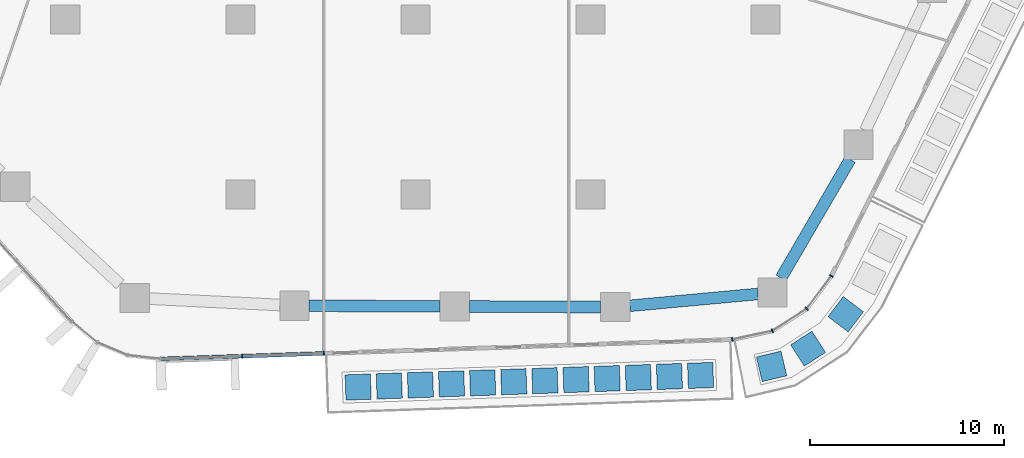
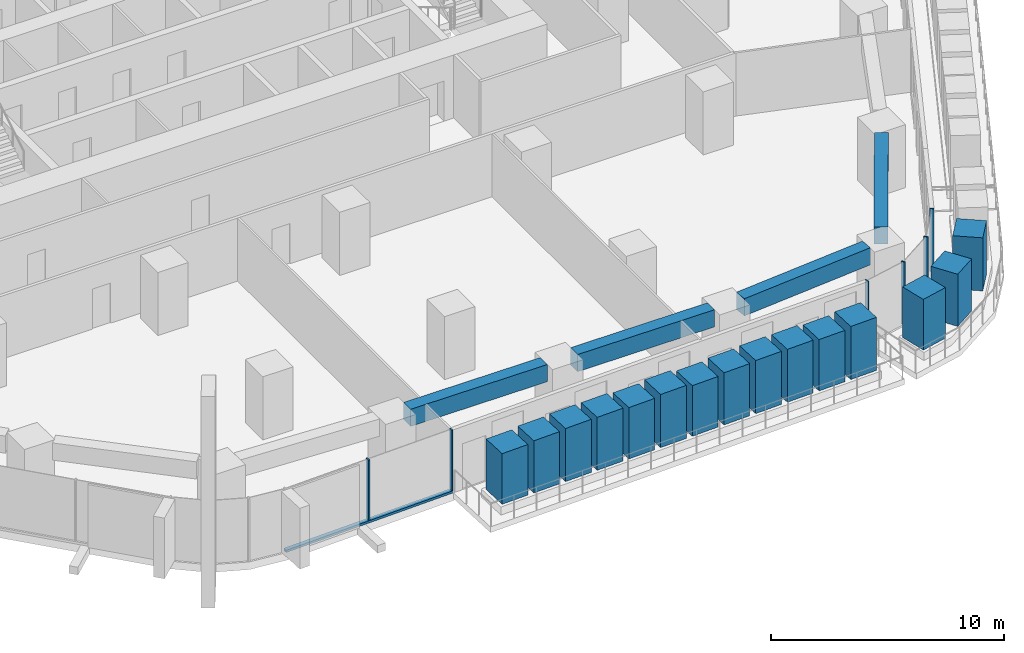
# One storey, part 4 of 26: 22 members, 4 beams, 2 elements without a shape of their own.
"""IFC4 building model written with IfcOpenShell, lengths in metres."""

from ifc_helpers import new_model, si_unit, direction, frame, origin, origin_2d, place, context, subcontext, project, spatial, rectangle, extrude, material, layer, layer_set, material_profile, profile_set, type_object, element, aggregate, save


model = new_model("IFC4")

# Units and contexts
model_context = context("Model", 3, precision=1e-05, world=origin(), true_north=direction((0.0, 1.0)))
body_context = subcontext(model_context, "Body", "Model", "MODEL_VIEW")
ifc_project = project(units=[si_unit("LENGTHUNIT", "METRE"), si_unit("AREAUNIT", "SQUARE_METRE"), si_unit("VOLUMEUNIT", "CUBIC_METRE"), si_unit("PLANEANGLEUNIT", "RADIAN"), si_unit("MASSUNIT", "GRAM", prefix="KILO")], contexts=[model_context])

# Site, building, storey
site_placement = place(None, origin())
site = spatial("IfcSite", under=ifc_project, at=site_placement, CompositionType="ELEMENT")
building_placement = place(site_placement, origin())
building = spatial("IfcBuilding", under=site, at=building_placement, Name="Dongbaek Canopy Tower", CompositionType="ELEMENT")
storey_placement = place(building_placement, frame((0.0, 0.0, 66.199951171875)))
storey = spatial("IfcBuildingStorey", under=building, at=storey_placement, Name="L12", CompositionType="ELEMENT", Elevation=66.199951171875)

# Curtain wall, members
ifc_material_1 = material(Name="Aluminium 6063-T6 pale anodised", Category="aluminium")
ifc_layer = layer(ifc_material_1, 0.199951171875)
ifc_layer_set = layer_set([ifc_layer], Name="CW-1 unitised tower curtain wall")
curtain_wall_type = type_object("IfcCurtainWallType", Name="CW-1 unitised tower curtain wall", PredefinedType="NOTDEFINED", material=ifc_layer_set)
curtain_wall_1_placement = place(storey_placement, origin())
curtain_wall_1 = element("IfcCurtainWall", 1, at=curtain_wall_1_placement, inside=storey, type_object=curtain_wall_type, Name="CW-1 curtain wall F4.1", PredefinedType="NOTDEFINED")
ifc_material_2 = material(Name="Aluminium 6063-T6 pale anodised", Category="aluminium")
ifc_material_profile_1 = material_profile(ifc_material_2, rectangle(XDim=0.199951171875, YDim=0.06005859375, at=origin_2d()), Name="CW-1 mullion 60 x 200")
ifc_profile_set_1 = profile_set([ifc_material_profile_1], Name="Aluminium 6063-T6 pale anodised")
member_type_1 = type_object("IfcMemberType", Name="CW-1 mullion 60 x 200", PredefinedType="MULLION", material=ifc_profile_set_1)
member_1_placement = place(storey_placement, frame((-8.904052734375, -35.310302734375, 0.1201171875), z_axis=(0.0, 0.0, 1.0), x_axis=(0.033932734012, -0.999424118962, 0.0)))
member_1 = element("IfcMember", 2, at=member_1_placement, type_object=member_type_1, Name="CW-1 mullion F4.1.2", PredefinedType="MULLION", context=body_context, shape_type="SweptSolid", body=[
    extrude(rectangle(XDim=0.199951171875, YDim=0.06005859375, at=origin_2d()), origin(), (0.0, 0.0, 1.0), 3.179931640625),
])
member_2_placement = place(storey_placement, frame((-4.702392578125, -35.167724609375, 0.1201171875), z_axis=(0.0, 0.0, 1.0), x_axis=(0.033932734012, -0.999424118962, 0.0)))
member_2 = element("IfcMember", 3, at=member_2_placement, type_object=member_type_1, Name="CW-1 mullion F4.1.3", PredefinedType="MULLION", context=body_context, shape_type="SweptSolid", body=[
    extrude(rectangle(XDim=0.199951171875, YDim=0.06005859375, at=origin_2d()), origin(), (0.0, 0.0, 1.0), 3.179931640625),
])

curtain_wall_2_placement = place(storey_placement, origin())
curtain_wall_2 = element("IfcCurtainWall", 4, at=curtain_wall_2_placement, inside=storey, type_object=curtain_wall_type, Name="CW-1 curtain wall K5.1", PredefinedType="NOTDEFINED")
member_3_placement = place(storey_placement, frame((16.297119140625, -34.454833984375, 0.0), z_axis=(0.0, 0.0, 1.0), x_axis=(0.211349311905, -0.977410593537, 0.0)))
member_3 = element("IfcMember", 5, at=member_3_placement, type_object=member_type_1, Name="CW-1 mullion K5.1.1", PredefinedType="MULLION", context=body_context, shape_type="SweptSolid", body=[
    extrude(rectangle(XDim=0.199951171875, YDim=0.06005859375, at=origin_2d()), origin(), (0.0, 0.0, 1.0), 3.300048828125),
])
member_4_placement = place(storey_placement, frame((18.359130859375, -34.0087890625, 0.0), z_axis=(0.0, 0.0, 1.0), x_axis=(0.382010904246, -0.924157816088, 0.0)))
member_4 = element("IfcMember", 6, at=member_4_placement, type_object=member_type_1, Name="CW-1 mullion K5.1.2", PredefinedType="MULLION", context=body_context, shape_type="SweptSolid", body=[
    extrude(rectangle(XDim=0.199951171875, YDim=0.06005859375, at=origin_2d()), origin(), (0.0, 0.0, 1.0), 3.300048828125),
])
member_5_placement = place(storey_placement, frame((20.12646484375, -32.87353515625, 0.0), z_axis=(0.0, 0.0, 1.0), x_axis=(0.681641141711, -0.731686650095, 0.0)))
member_5 = element("IfcMember", 7, at=member_5_placement, type_object=member_type_1, Name="CW-1 mullion K5.1.3", PredefinedType="MULLION", context=body_context, shape_type="SweptSolid", body=[
    extrude(rectangle(XDim=0.199951171875, YDim=0.06005859375, at=origin_2d()), origin(), (0.0, 0.0, 1.0), 3.300048828125),
])
member_6_placement = place(storey_placement, frame((21.389404296875, -31.18359375, 0.0), z_axis=(0.0, 0.0, 1.0), x_axis=(0.801033233665, -0.59861987819, 0.0)))
member_6 = element("IfcMember", 8, at=member_6_placement, type_object=member_type_1, Name="CW-1 mullion K5.1.4", PredefinedType="MULLION", context=body_context, shape_type="SweptSolid", body=[
    extrude(rectangle(XDim=0.199951171875, YDim=0.06005859375, at=origin_2d()), origin(), (0.0, 0.0, 1.0), 3.300048828125),
])
aggregate(curtain_wall_2, [member_3, member_4, member_5, member_6])

# Member
ifc_material_3 = material(Name="Aluminium 6063-T6 pale anodised", Category="aluminium")
ifc_material_profile_2 = material_profile(ifc_material_3, rectangle(XDim=0.199951171875, YDim=0.1201171875, at=origin_2d()), Name="CW-1 transom 120 x 200")
ifc_profile_set_2 = profile_set([ifc_material_profile_2], Name="Aluminium 6063-T6 pale anodised")
member_type_2 = type_object("IfcMemberType", Name="CW-1 transom 120 x 200", PredefinedType="USERDEFINED", material=ifc_profile_set_2)
member_7_placement = place(storey_placement, frame((-13.0986328125, -35.452880859375, 0.06005859375), z_axis=(0.999423777013, 0.033942803976, 0.0), x_axis=(-0.033942803976, 0.999423777013, 0.0)))
member_7 = element("IfcMember", 9, at=member_7_placement, type_object=member_type_2, Name="CW-1 transom F4.1.1", ObjectType="TRANSOM", PredefinedType="USERDEFINED", context=body_context, shape_type="SweptSolid", body=[
    extrude(rectangle(XDim=0.199951171875, YDim=0.1201171875, at=origin_2d()), origin(), (0.0, 0.0, 1.0), 8.401123046875),
])

aggregate(curtain_wall_1, [member_1, member_2, member_7])

# Beams
ifc_material_4 = material(Name="Concrete C80", Category="concrete")
ifc_material_profile_3 = material_profile(ifc_material_4, rectangle(XDim=0.60009765625, YDim=0.89990234375, at=origin_2d()), Name="RC EDGE BEAM 600x900 C80")
ifc_profile_set_3 = profile_set([ifc_material_profile_3], Name="Concrete C80")
beam_type = type_object("IfcBeamType", Name="RC EDGE BEAM 600x900 C80", PredefinedType="BEAM", material=ifc_profile_set_3)
beam_1_placement = place(storey_placement, frame((17.617919921875, -32.1123046875, 2.85009765625), z_axis=(-0.995766471257, -0.091919174929, 0.0), x_axis=(0.091919174929, -0.995766471257, 0.0)))
element("IfcBeam", 10, at=beam_1_placement, inside=storey, type_object=beam_type, Name="EDGEBEAM:L12:00", PredefinedType="BEAM", context=body_context, shape_type="SweptSolid", body=[
    extrude(rectangle(XDim=0.60009765625, YDim=0.89990234375, at=origin_2d()), origin(), (0.0, 0.0, 1.0), 6.618896484375),
])
beam_2_placement = place(storey_placement, frame((9.527099609375, -32.78662109375, 2.85009765625), z_axis=(-0.999989942747, 0.004484908597, 0.0), x_axis=(-0.004484908597, -0.999989942747, 0.0)))
element("IfcBeam", 11, at=beam_2_placement, inside=storey, type_object=beam_type, Name="EDGEBEAM:L12:01", PredefinedType="BEAM", context=body_context, shape_type="SweptSolid", body=[
    extrude(rectangle(XDim=0.60009765625, YDim=0.89990234375, at=origin_2d()), origin(), (0.0, 0.0, 1.0), 6.75),
])
beam_3_placement = place(storey_placement, frame((1.277099609375, -32.749755859375, 2.85009765625), z_axis=(-0.999990420723, 0.004377038088, 0.0), x_axis=(-0.004377038088, -0.999990420723, 0.0)))
element("IfcBeam", 12, at=beam_3_placement, inside=storey, type_object=beam_type, Name="EDGEBEAM:L12:02", PredefinedType="BEAM", context=body_context, shape_type="SweptSolid", body=[
    extrude(rectangle(XDim=0.60009765625, YDim=0.89990234375, at=origin_2d()), origin(), (0.0, 0.0, 1.0), 6.7490234375),
])
beam_4_placement = place(storey_placement, frame((22.35546875, -25.193115234375, 2.85009765625), z_axis=(-0.503081510817, -0.864238967806, 0.0), x_axis=(0.864238967806, -0.503081510817, 0.0)))
element("IfcBeam", 13, at=beam_4_placement, inside=storey, type_object=beam_type, Name="EDGEBEAM:L12:25", PredefinedType="BEAM", context=body_context, shape_type="SweptSolid", body=[
    extrude(rectangle(XDim=0.60009765625, YDim=0.89990234375, at=origin_2d()), origin(), (0.0, 0.0, 1.0), 7.05810546875),
])

# Members
ifc_material_5 = material(Name="Concrete C40/50 planter mass with planting", Category="concrete")
ifc_material_profile_4 = material_profile(ifc_material_5, rectangle(XDim=1.300048828125, YDim=1.300048828125, at=origin_2d()), Name="Terrace PLANTER shrub mass 1300 x 1300")
ifc_profile_set_4 = profile_set([ifc_material_profile_4], Name="Concrete C40/50 planter mass with planting")
member_type_3 = type_object("IfcMemberType", Name="Terrace PLANTER shrub mass 1300 x 1300", PredefinedType="USERDEFINED", material=ifc_profile_set_4)
member_8_placement = place(storey_placement, frame((-2.941650390625, -36.89892578125, 0.420166015625), z_axis=(0.0, 0.0, 1.0), x_axis=(0.033932734012, -0.999424118962, 0.0)))
element("IfcMember", 14, at=member_8_placement, inside=storey, type_object=member_type_3, Name="Planter shrubs L12 4.1", ObjectType="PLANTER", PredefinedType="USERDEFINED", context=body_context, shape_type="SweptSolid", body=[
    extrude(rectangle(XDim=1.300048828125, YDim=1.300048828125, at=origin_2d()), origin(), (0.0, 0.0, 1.0), 2.64990234375),
])
member_9_placement = place(storey_placement, frame((-1.341064453125, -36.8447265625, 0.420166015625), z_axis=(0.0, 0.0, 1.0), x_axis=(0.033932734012, -0.999424118962, 0.0)))
element("IfcMember", 15, at=member_9_placement, inside=storey, type_object=member_type_3, Name="Planter shrubs L12 4.2", ObjectType="PLANTER", PredefinedType="USERDEFINED", context=body_context, shape_type="SweptSolid", body=[
    extrude(rectangle(XDim=1.300048828125, YDim=1.300048828125, at=origin_2d()), origin(), (0.0, 0.0, 1.0), 2.72998046875),
])
member_10_placement = place(storey_placement, frame((0.259765625, -36.790283203125, 0.420166015625), z_axis=(0.0, 0.0, 1.0), x_axis=(0.033932734012, -0.999424118962, 0.0)))
element("IfcMember", 16, at=member_10_placement, inside=storey, type_object=member_type_3, Name="Planter shrubs L12 4.3", ObjectType="PLANTER", PredefinedType="USERDEFINED", context=body_context, shape_type="SweptSolid", body=[
    extrude(rectangle(XDim=1.300048828125, YDim=1.300048828125, at=origin_2d()), origin(), (0.0, 0.0, 1.0), 2.77978515625),
])
member_11_placement = place(storey_placement, frame((1.860595703125, -36.73583984375, 0.420166015625), z_axis=(0.0, 0.0, 1.0), x_axis=(0.033932734012, -0.999424118962, 0.0)))
element("IfcMember", 17, at=member_11_placement, inside=storey, type_object=member_type_3, Name="Planter shrubs L12 4.4", ObjectType="PLANTER", PredefinedType="USERDEFINED", context=body_context, shape_type="SweptSolid", body=[
    extrude(rectangle(XDim=1.300048828125, YDim=1.300048828125, at=origin_2d()), origin(), (0.0, 0.0, 1.0), 2.769775390625),
])
member_12_placement = place(storey_placement, frame((3.46142578125, -36.681640625, 0.420166015625), z_axis=(0.0, 0.0, 1.0), x_axis=(0.033932734012, -0.999424118962, 0.0)))
element("IfcMember", 18, at=member_12_placement, inside=storey, type_object=member_type_3, Name="Planter shrubs L12 4.5", ObjectType="PLANTER", PredefinedType="USERDEFINED", context=body_context, shape_type="SweptSolid", body=[
    extrude(rectangle(XDim=1.300048828125, YDim=1.300048828125, at=origin_2d()), origin(), (0.0, 0.0, 1.0), 2.68994140625),
])
member_13_placement = place(storey_placement, frame((5.062255859375, -36.627197265625, 0.420166015625), z_axis=(0.0, 0.0, 1.0), x_axis=(0.033932734012, -0.999424118962, 0.0)))
element("IfcMember", 19, at=member_13_placement, inside=storey, type_object=member_type_3, Name="Planter shrubs L12 4.6", ObjectType="PLANTER", PredefinedType="USERDEFINED", context=body_context, shape_type="SweptSolid", body=[
    extrude(rectangle(XDim=1.300048828125, YDim=1.300048828125, at=origin_2d()), origin(), (0.0, 0.0, 1.0), 2.77978515625),
])
member_14_placement = place(storey_placement, frame((6.6630859375, -36.572998046875, 0.420166015625), z_axis=(0.0, 0.0, 1.0), x_axis=(0.033932734012, -0.999424118962, 0.0)))
element("IfcMember", 20, at=member_14_placement, inside=storey, type_object=member_type_3, Name="Planter shrubs L12 4.7", ObjectType="PLANTER", PredefinedType="USERDEFINED", context=body_context, shape_type="SweptSolid", body=[
    extrude(rectangle(XDim=1.300048828125, YDim=1.300048828125, at=origin_2d()), origin(), (0.0, 0.0, 1.0), 2.64990234375),
])
member_15_placement = place(storey_placement, frame((8.263916015625, -36.5185546875, 0.420166015625), z_axis=(0.0, 0.0, 1.0), x_axis=(0.033932734012, -0.999424118962, 0.0)))
element("IfcMember", 21, at=member_15_placement, inside=storey, type_object=member_type_3, Name="Planter shrubs L12 4.8", ObjectType="PLANTER", PredefinedType="USERDEFINED", context=body_context, shape_type="SweptSolid", body=[
    extrude(rectangle(XDim=1.300048828125, YDim=1.300048828125, at=origin_2d()), origin(), (0.0, 0.0, 1.0), 2.72998046875),
])
member_16_placement = place(storey_placement, frame((9.864501953125, -36.464111328125, 0.420166015625), z_axis=(0.0, 0.0, 1.0), x_axis=(0.033932734012, -0.999424118962, 0.0)))
element("IfcMember", 22, at=member_16_placement, inside=storey, type_object=member_type_3, Name="Planter shrubs L12 4.9", ObjectType="PLANTER", PredefinedType="USERDEFINED", context=body_context, shape_type="SweptSolid", body=[
    extrude(rectangle(XDim=1.300048828125, YDim=1.300048828125, at=origin_2d()), origin(), (0.0, 0.0, 1.0), 2.77978515625),
])
member_17_placement = place(storey_placement, frame((11.46533203125, -36.409912109375, 0.420166015625), z_axis=(0.0, 0.0, 1.0), x_axis=(0.033932734012, -0.999424118962, 0.0)))
element("IfcMember", 23, at=member_17_placement, inside=storey, type_object=member_type_3, Name="Planter shrubs L12 4.10", ObjectType="PLANTER", PredefinedType="USERDEFINED", context=body_context, shape_type="SweptSolid", body=[
    extrude(rectangle(XDim=1.300048828125, YDim=1.300048828125, at=origin_2d()), origin(), (0.0, 0.0, 1.0), 2.769775390625),
])
member_18_placement = place(storey_placement, frame((13.066162109375, -36.35546875, 0.420166015625), z_axis=(0.0, 0.0, 1.0), x_axis=(0.033932734012, -0.999424118962, 0.0)))
element("IfcMember", 24, at=member_18_placement, inside=storey, type_object=member_type_3, Name="Planter shrubs L12 4.11", ObjectType="PLANTER", PredefinedType="USERDEFINED", context=body_context, shape_type="SweptSolid", body=[
    extrude(rectangle(XDim=1.300048828125, YDim=1.300048828125, at=origin_2d()), origin(), (0.0, 0.0, 1.0), 2.68994140625),
])
member_19_placement = place(storey_placement, frame((14.6669921875, -36.301025390625, 0.420166015625), z_axis=(0.0, 0.0, 1.0), x_axis=(0.033932734012, -0.999424118962, 0.0)))
element("IfcMember", 25, at=member_19_placement, inside=storey, type_object=member_type_3, Name="Planter shrubs L12 4.12", ObjectType="PLANTER", PredefinedType="USERDEFINED", context=body_context, shape_type="SweptSolid", body=[
    extrude(rectangle(XDim=1.300048828125, YDim=1.300048828125, at=origin_2d()), origin(), (0.0, 0.0, 1.0), 2.77978515625),
])
member_20_placement = place(storey_placement, frame((18.3193359375, -35.8349609375, 0.420166015625), z_axis=(0.0, 0.0, 1.0), x_axis=(0.229055651776, -0.973413328648, 0.0)))
element("IfcMember", 26, at=member_20_placement, inside=storey, type_object=member_type_3, Name="Planter shrubs L12 8.1", ObjectType="PLANTER", PredefinedType="USERDEFINED", context=body_context, shape_type="SweptSolid", body=[
    extrude(rectangle(XDim=1.300048828125, YDim=1.300048828125, at=origin_2d()), origin(), (0.0, 0.0, 1.0), 2.64990234375),
])
member_21_placement = place(storey_placement, frame((20.195556640625, -34.924560546875, 0.420166015625), z_axis=(0.0, 0.0, 1.0), x_axis=(0.540462955385, -0.841367811279, 0.0)))
element("IfcMember", 27, at=member_21_placement, inside=storey, type_object=member_type_3, Name="Planter shrubs L12 8.2", ObjectType="PLANTER", PredefinedType="USERDEFINED", context=body_context, shape_type="SweptSolid", body=[
    extrude(rectangle(XDim=1.300048828125, YDim=1.300048828125, at=origin_2d()), origin(), (0.0, 0.0, 1.0), 2.72998046875),
])
member_22_placement = place(storey_placement, frame((22.130615234375, -33.15380859375, 0.420166015625), z_axis=(0.0, 0.0, 1.0), x_axis=(0.796328134047, -0.604864863359, 0.0)))
element("IfcMember", 28, at=member_22_placement, inside=storey, type_object=member_type_3, Name="Planter shrubs L12 8.3", ObjectType="PLANTER", PredefinedType="USERDEFINED", context=body_context, shape_type="SweptSolid", body=[
    extrude(rectangle(XDim=1.300048828125, YDim=1.300048828125, at=origin_2d()), origin(), (0.0, 0.0, 1.0), 2.77978515625),
])

save(model, "model.ifc")
